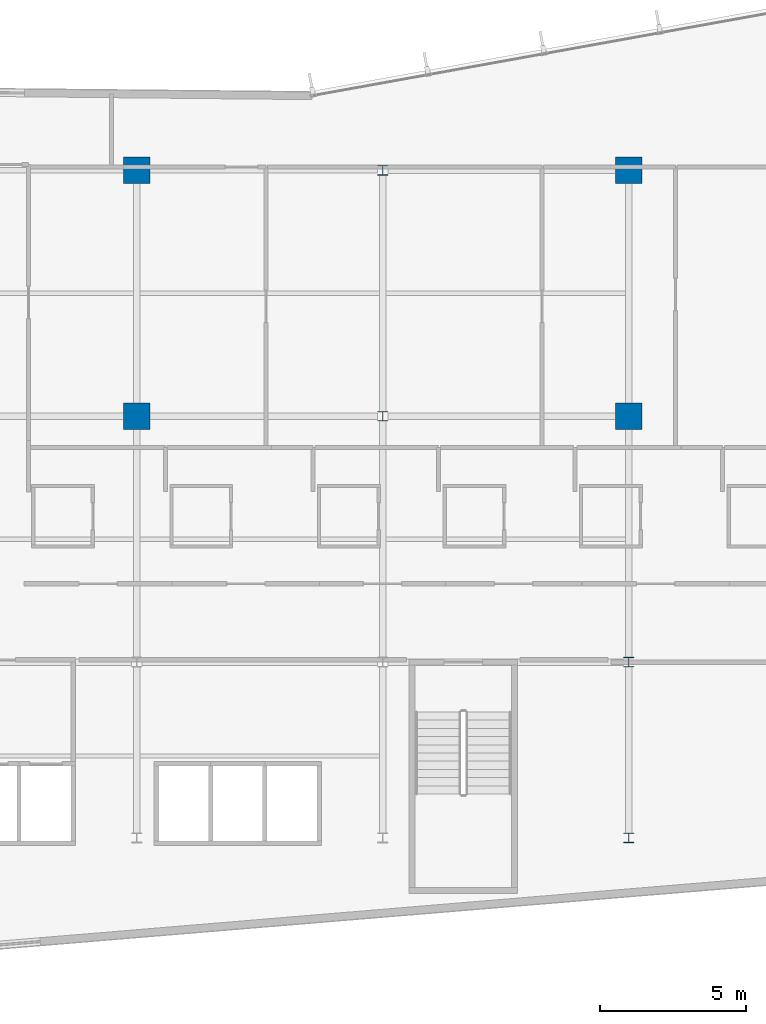
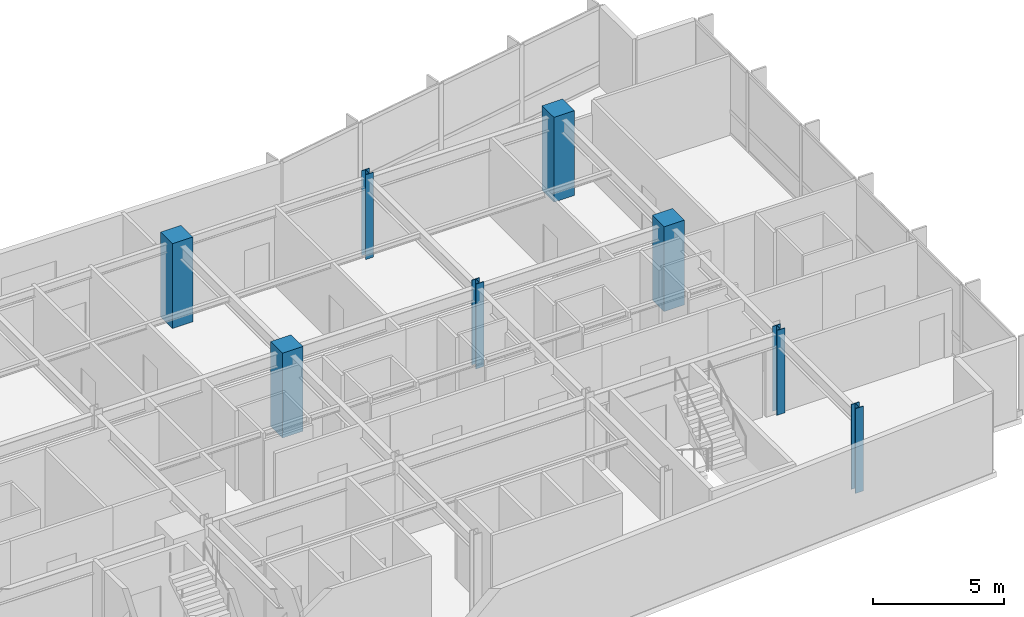
# One storey, part 2 of 20: 8 columns.
"""IFC4 building model written with IfcOpenShell, lengths in metres."""

from ifc_helpers import new_model, si_unit, direction, frame, origin, origin_2d, place, context, subcontext, project, spatial, rectangle, i_section, extrude, material, material_profile, profile_set, type_object, element, save


model = new_model("IFC4")

# Units and contexts
model_context = context("Model", 3, precision=1e-05, world=origin(), true_north=direction((0.0, 1.0)))
body_context = subcontext(model_context, "Body", "Model", "MODEL_VIEW")
ifc_project = project(units=[si_unit("LENGTHUNIT", "METRE"), si_unit("AREAUNIT", "SQUARE_METRE"), si_unit("VOLUMEUNIT", "CUBIC_METRE"), si_unit("PLANEANGLEUNIT", "RADIAN"), si_unit("MASSUNIT", "GRAM", prefix="KILO")], contexts=[model_context])

# Site, building, storey
site_placement = place(None, origin())
site = spatial("IfcSite", under=ifc_project, at=site_placement, CompositionType="ELEMENT")
building_placement = place(site_placement, origin())
building = spatial("IfcBuilding", under=site, at=building_placement, Name="Varnakote Quay Hospital", CompositionType="ELEMENT")
storey_placement = place(building_placement, frame((0.0, 0.0, 58.050048828125)))
storey = spatial("IfcBuildingStorey", under=building, at=storey_placement, Name="L14", CompositionType="ELEMENT", Elevation=58.050048828125)

# Columns
ifc_material_1 = material(Name="Concrete N50 (f'c 50 MPa)", Category="concrete")
ifc_material_profile_1 = material_profile(ifc_material_1, rectangle(XDim=0.89990234375, YDim=0.89990234375, at=origin_2d()), Name="RC-COL-900x900")
ifc_profile_set_1 = profile_set([ifc_material_profile_1], Name="Concrete N50 (f'c 50 MPa)")
column_type_1 = type_object("IfcColumnType", Name="COL-RC-900", PredefinedType="COLUMN", material=ifc_profile_set_1)
for number, where, z_axis, x_axis, name in (
    (1, (33.60009765625, 20.39990234375, 0.0), (0.0, 0.0, 1.0), (1.0, 0.0, 0.0), "L14 Structural Column C-34-20"),
    (2, (50.39990234375, 20.39990234375, 0.0), (0.0, 0.0, 1.0), (1.0, 0.0, 0.0), "L14 Structural Column C-50-20"),
    (3, (33.60009765625, 28.800048828125, 0.0), (0.0, 0.0, 1.0), (1.0, 0.0, 0.0), "L14 Structural Column C-34-29"),
    (4, (50.39990234375, 28.800048828125, 0.0), (0.0, 0.0, 1.0), (1.0, 0.0, 0.0), "L14 Structural Column C-50-29"),
):
    element("IfcColumn", number, at=place(storey_placement, frame(where, z_axis=z_axis, x_axis=x_axis)), inside=storey, type_object=column_type_1, Name=name, PredefinedType="COLUMN", context=body_context, shape_type="SweptSolid", body=[
        extrude(rectangle(XDim=0.89990234375, YDim=0.89990234375, at=origin_2d()), origin(), (0.0, 0.0, 1.0), 3.949951171875),
    ])
ifc_material_2 = material(Name="Structural steel AS/NZS 3678 Grade 350 (fy 340 MPa)", Category="steel")
ifc_material_profile_2 = material_profile(ifc_material_2, i_section(OverallWidth=0.35009765625, OverallDepth=0.340087890625, WebThickness=0.01611328125, FlangeThickness=0.028076171875, at=origin_2d()), Name="350WC197")
ifc_profile_set_2 = profile_set([ifc_material_profile_2], Name="Structural steel AS/NZS 3678 Grade 350 (fy 340 MPa)")
column_type_2 = type_object("IfcColumnType", Name="COL-STL-350WC197", PredefinedType="COLUMN", material=ifc_profile_set_2)
for number, where, z_axis, x_axis, name in (
    (5, (50.39990234375, 6.0, 0.0), (0.0, 0.0, 1.0), (1.0, 0.0, 0.0), "L14 Structural Column C-50-6"),
    (6, (50.39990234375, 12.0, 0.0), (0.0, 0.0, 1.0), (1.0, 0.0, 0.0), "L14 Structural Column C-50-12"),
    (7, (42.0, 20.39990234375, 0.0), (0.0, 0.0, 1.0), (1.0, 0.0, 0.0), "L14 Structural Column C-42-20"),
    (8, (42.0, 28.800048828125, 0.0), (0.0, 0.0, 1.0), (1.0, 0.0, 0.0), "L14 Structural Column C-42-29"),
):
    element("IfcColumn", number, at=place(storey_placement, frame(where, z_axis=z_axis, x_axis=x_axis)), inside=storey, type_object=column_type_2, Name=name, PredefinedType="COLUMN", context=body_context, shape_type="SweptSolid", body=[
        extrude(i_section(OverallWidth=0.35009765625, OverallDepth=0.340087890625, WebThickness=0.01611328125, FlangeThickness=0.028076171875, at=origin_2d()), origin(), (0.0, 0.0, 1.0), 3.949951171875),
    ])

save(model, "model.ifc")
